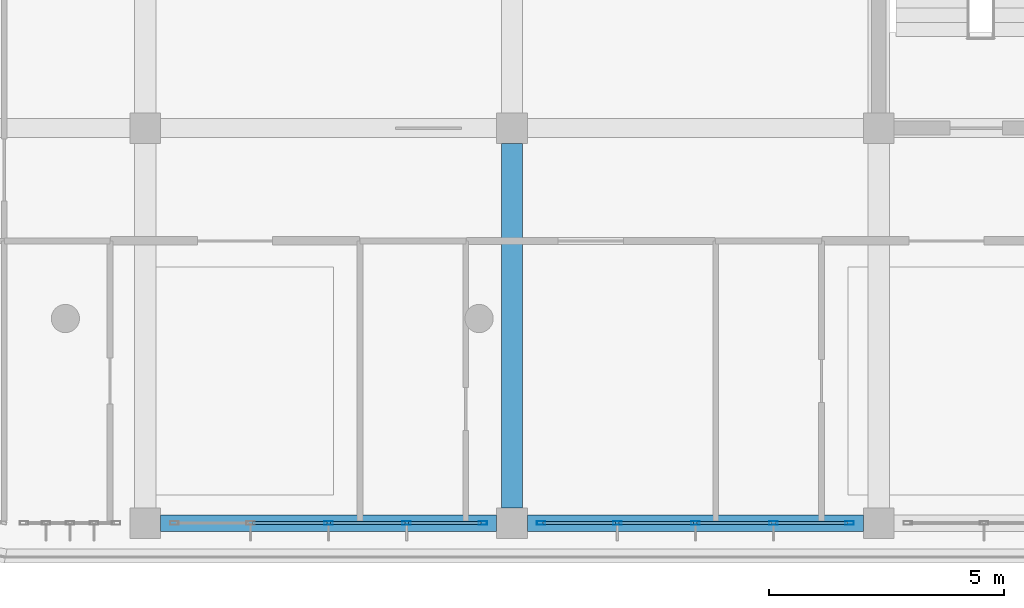
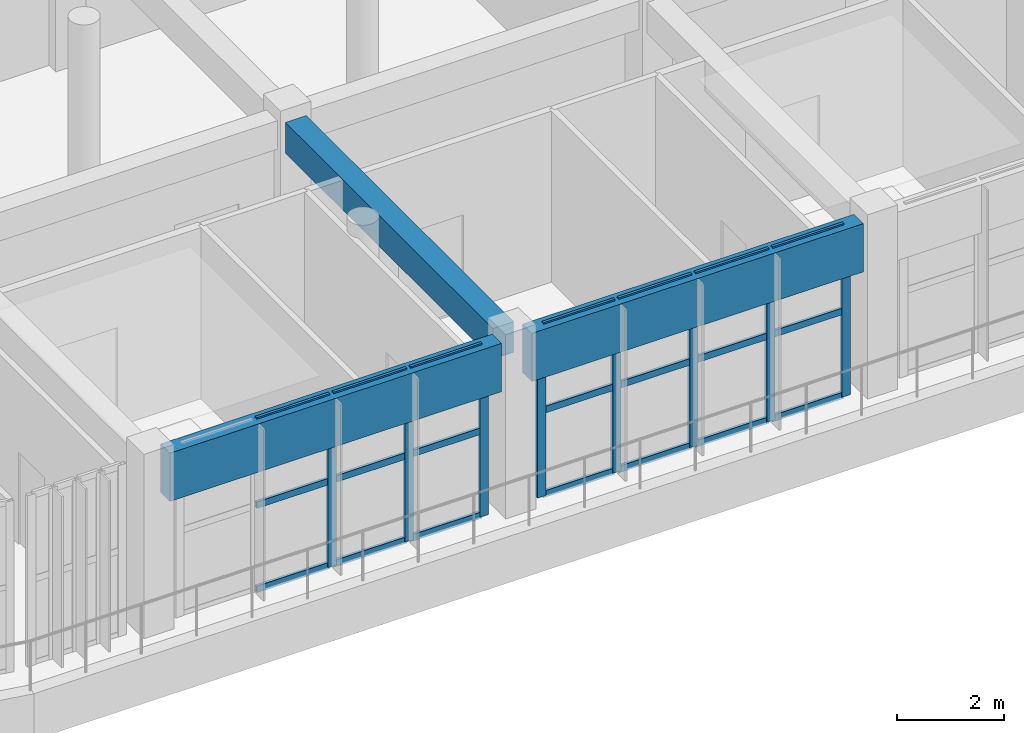
# One storey, part 6 of 63: 29 members, 3 beams, 2 elements without a shape of their own.
"""IFC4 building model written with IfcOpenShell, lengths in metres."""

from ifc_helpers import new_model, si_unit, direction, frame, origin, origin_2d, place, context, subcontext, project, spatial, rectangle, hollow_rectangle, extrude, material, layer, layer_set, material_profile, profile_set, type_object, element, aggregate, save


model = new_model("IFC4")

# Units and contexts
model_context = context("Model", 3, precision=1e-05, world=origin(), true_north=direction((0.0, 1.0)))
body_context = subcontext(model_context, "Body", "Model", "MODEL_VIEW")
ifc_project = project(units=[si_unit("LENGTHUNIT", "METRE"), si_unit("AREAUNIT", "SQUARE_METRE"), si_unit("VOLUMEUNIT", "CUBIC_METRE"), si_unit("PLANEANGLEUNIT", "RADIAN"), si_unit("MASSUNIT", "GRAM", prefix="KILO")], contexts=[model_context])

# Site, building, storey
site_placement = place(None, origin())
site = spatial("IfcSite", under=ifc_project, at=site_placement, CompositionType="ELEMENT")
building_placement = place(site_placement, origin())
building = spatial("IfcBuilding", under=site, at=building_placement, Name="Zizhar Promenade General Hospital", CompositionType="ELEMENT")
storey_placement = place(building_placement, frame((0.0, 0.0, 18.0)))
storey = spatial("IfcBuildingStorey", under=building, at=storey_placement, Name="L04", CompositionType="ELEMENT", Elevation=18.0)

# Beams
ifc_material_1 = material(Name="Precast concrete C40/50", Category="concrete")
ifc_material_profile_1 = material_profile(ifc_material_1, rectangle(XDim=0.35009765625, YDim=1.10009765625, at=origin_2d()))
ifc_profile_set_1 = profile_set([ifc_material_profile_1], Name="Precast concrete C40/50")
beam_type_1 = type_object("IfcBeamType", Name="BM-PC-BAND1100", PredefinedType="SPANDREL", material=ifc_profile_set_1)
for number, where, z_axis, x_axis, name in (
    (1, (31.52490234375, 0.0, 3.360107421875), (1.0, 0.0, 0.0), (0.0, 1.0, 0.0), "Grid Beam X L04 (4-0)"),
    (2, (39.324951171875, 0.0, 3.360107421875), (1.0, 0.0, 0.0), (0.0, 1.0, 0.0), "Grid Beam X L04 (5-0)"),
):
    element("IfcBeam", number, at=place(storey_placement, frame(where, z_axis=z_axis, x_axis=x_axis)), inside=storey, type_object=beam_type_1, Name=name, PredefinedType="SPANDREL", context=body_context, shape_type="SweptSolid", body=[
        extrude(rectangle(XDim=0.35009765625, YDim=1.10009765625, at=origin_2d()), origin(), (0.0, 0.0, 1.0), 7.150146484375),
    ])
ifc_material_2 = material(Name="Concrete C35/45", Category="concrete")
ifc_material_profile_2 = material_profile(ifc_material_2, rectangle(XDim=0.449951171875, YDim=0.699951171875, at=origin_2d()))
ifc_profile_set_2 = profile_set([ifc_material_profile_2], Name="Concrete C35/45")
beam_type_2 = type_object("IfcBeamType", Name="BM-RC-450x700", PredefinedType="BEAM", material=ifc_profile_set_2)
beam_placement = place(storey_placement, frame((39.0, 0.324951171875, 3.56005859375), z_axis=(0.0, 1.0, 0.0), x_axis=(-1.0, 0.0, 0.0)))
element("IfcBeam", 3, at=beam_placement, inside=storey, type_object=beam_type_2, Name="Grid Beam Y L04 (5-0)", PredefinedType="BEAM", context=body_context, shape_type="SweptSolid", body=[
    extrude(rectangle(XDim=0.449951171875, YDim=0.699951171875, at=origin_2d()), origin(), (0.0, 0.0, 1.0), 7.75),
])

# Curtain wall, members
ifc_material_3 = material(Name="Anodised aluminium 6063-T6 and low-E glass", Category="aluminium")
ifc_layer = layer(ifc_material_3, 0.159912109375)
ifc_layer_set = layer_set([ifc_layer], Name="Anodised aluminium 6063-T6 and low-E glass")
curtain_wall_type = type_object("IfcCurtainWallType", Name="CW-WARD-RIB", PredefinedType="NOTDEFINED", material=ifc_layer_set)
curtain_wall_1_placement = place(storey_placement, origin())
curtain_wall_1 = element("IfcCurtainWall", 4, at=curtain_wall_1_placement, inside=storey, type_object=curtain_wall_type, Name="Ward Ribbon Curtain Wall L04-17-9", PredefinedType="NOTDEFINED")
ifc_material_4 = material(Name="Anodised aluminium 6063-T6", Category="aluminium")
ifc_material_profile_3 = material_profile(ifc_material_4, hollow_rectangle(XDim=0.080078125, YDim=0.179931640625, WallThickness=0.0048828125, at=origin_2d()))
ifc_profile_set_3 = profile_set([ifc_material_profile_3], Name="Anodised aluminium 6063-T6")
member_type_1 = type_object("IfcMemberType", Name="CWM-ALU-180x80", PredefinedType="MULLION", material=ifc_profile_set_3)
member_1_placement = place(storey_placement, frame((46.179931640625, 0.0, 0.0), z_axis=(0.0, 0.0, 1.0), x_axis=(0.0, -1.0, 0.0)))
member_1 = element("IfcMember", 5, at=member_1_placement, type_object=member_type_1, Name="CW-13 mullion 1", PredefinedType="MULLION", context=body_context, shape_type="SweptSolid", body=[
    extrude(hollow_rectangle(XDim=0.080078125, YDim=0.179931640625, WallThickness=0.0048828125, at=origin_2d()), origin(), (0.0, 0.0, 1.0), 3.89990234375),
])
member_2_placement = place(storey_placement, frame((44.56005859375, 0.0, 0.0), z_axis=(0.0, 0.0, 1.0), x_axis=(0.0, -1.0, 0.0)))
member_2 = element("IfcMember", 6, at=member_2_placement, type_object=member_type_1, Name="CW-13 mullion 2", PredefinedType="MULLION", context=body_context, shape_type="SweptSolid", body=[
    extrude(hollow_rectangle(XDim=0.080078125, YDim=0.179931640625, WallThickness=0.0048828125, at=origin_2d()), origin(), (0.0, 0.0, 1.0), 3.89990234375),
])
member_3_placement = place(storey_placement, frame((42.89990234375, 0.0, 0.0), z_axis=(0.0, 0.0, 1.0), x_axis=(0.0, -1.0, 0.0)))
member_3 = element("IfcMember", 7, at=member_3_placement, type_object=member_type_1, Name="CW-13 mullion 3", PredefinedType="MULLION", context=body_context, shape_type="SweptSolid", body=[
    extrude(hollow_rectangle(XDim=0.080078125, YDim=0.179931640625, WallThickness=0.0048828125, at=origin_2d()), origin(), (0.0, 0.0, 1.0), 3.89990234375),
])
member_4_placement = place(storey_placement, frame((41.239990234375, 0.0, 0.0), z_axis=(0.0, 0.0, 1.0), x_axis=(0.0, -1.0, 0.0)))
member_4 = element("IfcMember", 8, at=member_4_placement, type_object=member_type_1, Name="CW-13 mullion 4", PredefinedType="MULLION", context=body_context, shape_type="SweptSolid", body=[
    extrude(hollow_rectangle(XDim=0.080078125, YDim=0.179931640625, WallThickness=0.0048828125, at=origin_2d()), origin(), (0.0, 0.0, 1.0), 3.89990234375),
])
member_5_placement = place(storey_placement, frame((39.6201171875, 0.0, 0.0), z_axis=(0.0, 0.0, 1.0), x_axis=(0.0, -1.0, 0.0)))
member_5 = element("IfcMember", 9, at=member_5_placement, type_object=member_type_1, Name="CW-13 mullion 5", PredefinedType="MULLION", context=body_context, shape_type="SweptSolid", body=[
    extrude(hollow_rectangle(XDim=0.080078125, YDim=0.179931640625, WallThickness=0.0048828125, at=origin_2d()), origin(), (0.0, 0.0, 1.0), 3.89990234375),
])

curtain_wall_2_placement = place(storey_placement, origin())
curtain_wall_2 = element("IfcCurtainWall", 10, at=curtain_wall_2_placement, inside=storey, type_object=curtain_wall_type, Name="Ward Ribbon Curtain Wall L04-17-10", PredefinedType="NOTDEFINED")
member_6_placement = place(storey_placement, frame((38.3798828125, 0.0, 0.0), z_axis=(0.0, 0.0, 1.0), x_axis=(0.0, -1.0, 0.0)))
member_6 = element("IfcMember", 11, at=member_6_placement, type_object=member_type_1, Name="CW-13 mullion 1", PredefinedType="MULLION", context=body_context, shape_type="SweptSolid", body=[
    extrude(hollow_rectangle(XDim=0.080078125, YDim=0.179931640625, WallThickness=0.0048828125, at=origin_2d()), origin(), (0.0, 0.0, 1.0), 3.89990234375),
])
member_7_placement = place(storey_placement, frame((36.760009765625, 0.0, 0.0), z_axis=(0.0, 0.0, 1.0), x_axis=(0.0, -1.0, 0.0)))
member_7 = element("IfcMember", 12, at=member_7_placement, type_object=member_type_1, Name="CW-13 mullion 2", PredefinedType="MULLION", context=body_context, shape_type="SweptSolid", body=[
    extrude(hollow_rectangle(XDim=0.080078125, YDim=0.179931640625, WallThickness=0.0048828125, at=origin_2d()), origin(), (0.0, 0.0, 1.0), 3.89990234375),
])
member_8_placement = place(storey_placement, frame((35.10009765625, 0.0, 0.0), z_axis=(0.0, 0.0, 1.0), x_axis=(0.0, -1.0, 0.0)))
member_8 = element("IfcMember", 13, at=member_8_placement, type_object=member_type_1, Name="CW-13 mullion 3", PredefinedType="MULLION", context=body_context, shape_type="SweptSolid", body=[
    extrude(hollow_rectangle(XDim=0.080078125, YDim=0.179931640625, WallThickness=0.0048828125, at=origin_2d()), origin(), (0.0, 0.0, 1.0), 3.89990234375),
])

# Member
ifc_material_5 = material(Name="Anodised aluminium 6063-T6", Category="aluminium")
ifc_material_profile_4 = material_profile(ifc_material_5, hollow_rectangle(XDim=0.06005859375, YDim=0.14990234375, WallThickness=0.00390625, at=origin_2d()))
ifc_profile_set_4 = profile_set([ifc_material_profile_4], Name="Anodised aluminium 6063-T6")
member_type_2 = type_object("IfcMemberType", Name="CWT-ALU-150x60", PredefinedType="USERDEFINED", material=ifc_profile_set_4)
member_9_placement = place(storey_placement, frame((46.139892578125, 0.0, 0.030029296875), z_axis=(-1.0, 0.0, 0.0), x_axis=(0.0, -1.0, 0.0)))
member_9 = element("IfcMember", 14, at=member_9_placement, type_object=member_type_2, Name="CW-13 transom 1.1", ObjectType="TRANSOM", PredefinedType="USERDEFINED", context=body_context, shape_type="SweptSolid", body=[
    extrude(hollow_rectangle(XDim=0.06005859375, YDim=0.14990234375, WallThickness=0.00390625, at=origin_2d()), origin(), (0.0, 0.0, 1.0), 1.539794921875),
])

member_10_placement = place(storey_placement, frame((46.139892578125, 0.0, 1.949951171875), z_axis=(-1.0, 0.0, 0.0), x_axis=(0.0, -1.0, 0.0)))
member_10 = element("IfcMember", 15, at=member_10_placement, type_object=member_type_2, Name="CW-13 transom 1.2", ObjectType="TRANSOM", PredefinedType="USERDEFINED", context=body_context, shape_type="SweptSolid", body=[
    extrude(hollow_rectangle(XDim=0.06005859375, YDim=0.14990234375, WallThickness=0.00390625, at=origin_2d()), origin(), (0.0, 0.0, 1.0), 1.539794921875),
])

member_11_placement = place(storey_placement, frame((46.139892578125, 0.0, 3.8701171875), z_axis=(-1.0, 0.0, 0.0), x_axis=(0.0, -1.0, 0.0)))
member_11 = element("IfcMember", 16, at=member_11_placement, type_object=member_type_2, Name="CW-13 transom 1.3", ObjectType="TRANSOM", PredefinedType="USERDEFINED", context=body_context, shape_type="SweptSolid", body=[
    extrude(hollow_rectangle(XDim=0.06005859375, YDim=0.14990234375, WallThickness=0.00390625, at=origin_2d()), origin(), (0.0, 0.0, 1.0), 1.539794921875),
])

member_12_placement = place(storey_placement, frame((44.52001953125, 0.0, 0.030029296875), z_axis=(-1.0, 0.0, 0.0), x_axis=(0.0, -1.0, 0.0)))
member_12 = element("IfcMember", 17, at=member_12_placement, type_object=member_type_2, Name="CW-13 transom 2.1", ObjectType="TRANSOM", PredefinedType="USERDEFINED", context=body_context, shape_type="SweptSolid", body=[
    extrude(hollow_rectangle(XDim=0.06005859375, YDim=0.14990234375, WallThickness=0.00390625, at=origin_2d()), origin(), (0.0, 0.0, 1.0), 1.580078125),
])

member_13_placement = place(storey_placement, frame((44.52001953125, 0.0, 1.949951171875), z_axis=(-1.0, 0.0, 0.0), x_axis=(0.0, -1.0, 0.0)))
member_13 = element("IfcMember", 18, at=member_13_placement, type_object=member_type_2, Name="CW-13 transom 2.2", ObjectType="TRANSOM", PredefinedType="USERDEFINED", context=body_context, shape_type="SweptSolid", body=[
    extrude(hollow_rectangle(XDim=0.06005859375, YDim=0.14990234375, WallThickness=0.00390625, at=origin_2d()), origin(), (0.0, 0.0, 1.0), 1.580078125),
])

member_14_placement = place(storey_placement, frame((44.52001953125, 0.0, 3.8701171875), z_axis=(-1.0, 0.0, 0.0), x_axis=(0.0, -1.0, 0.0)))
member_14 = element("IfcMember", 19, at=member_14_placement, type_object=member_type_2, Name="CW-13 transom 2.3", ObjectType="TRANSOM", PredefinedType="USERDEFINED", context=body_context, shape_type="SweptSolid", body=[
    extrude(hollow_rectangle(XDim=0.06005859375, YDim=0.14990234375, WallThickness=0.00390625, at=origin_2d()), origin(), (0.0, 0.0, 1.0), 1.580078125),
])

member_15_placement = place(storey_placement, frame((42.860107421875, 0.0, 0.030029296875), z_axis=(-1.0, 0.0, 0.0), x_axis=(0.0, -1.0, 0.0)))
member_15 = element("IfcMember", 20, at=member_15_placement, type_object=member_type_2, Name="CW-13 transom 3.1", ObjectType="TRANSOM", PredefinedType="USERDEFINED", context=body_context, shape_type="SweptSolid", body=[
    extrude(hollow_rectangle(XDim=0.06005859375, YDim=0.14990234375, WallThickness=0.00390625, at=origin_2d()), origin(), (0.0, 0.0, 1.0), 1.580078125),
])

member_16_placement = place(storey_placement, frame((42.860107421875, 0.0, 1.949951171875), z_axis=(-1.0, 0.0, 0.0), x_axis=(0.0, -1.0, 0.0)))
member_16 = element("IfcMember", 21, at=member_16_placement, type_object=member_type_2, Name="CW-13 transom 3.2", ObjectType="TRANSOM", PredefinedType="USERDEFINED", context=body_context, shape_type="SweptSolid", body=[
    extrude(hollow_rectangle(XDim=0.06005859375, YDim=0.14990234375, WallThickness=0.00390625, at=origin_2d()), origin(), (0.0, 0.0, 1.0), 1.580078125),
])

member_17_placement = place(storey_placement, frame((42.860107421875, 0.0, 3.8701171875), z_axis=(-1.0, 0.0, 0.0), x_axis=(0.0, -1.0, 0.0)))
member_17 = element("IfcMember", 22, at=member_17_placement, type_object=member_type_2, Name="CW-13 transom 3.3", ObjectType="TRANSOM", PredefinedType="USERDEFINED", context=body_context, shape_type="SweptSolid", body=[
    extrude(hollow_rectangle(XDim=0.06005859375, YDim=0.14990234375, WallThickness=0.00390625, at=origin_2d()), origin(), (0.0, 0.0, 1.0), 1.580078125),
])

member_18_placement = place(storey_placement, frame((41.199951171875, 0.0, 0.030029296875), z_axis=(-1.0, 0.0, 0.0), x_axis=(0.0, -1.0, 0.0)))
member_18 = element("IfcMember", 23, at=member_18_placement, type_object=member_type_2, Name="CW-13 transom 4.1", ObjectType="TRANSOM", PredefinedType="USERDEFINED", context=body_context, shape_type="SweptSolid", body=[
    extrude(hollow_rectangle(XDim=0.06005859375, YDim=0.14990234375, WallThickness=0.00390625, at=origin_2d()), origin(), (0.0, 0.0, 1.0), 1.5400390625),
])

member_19_placement = place(storey_placement, frame((41.199951171875, 0.0, 1.949951171875), z_axis=(-1.0, 0.0, 0.0), x_axis=(0.0, -1.0, 0.0)))
member_19 = element("IfcMember", 24, at=member_19_placement, type_object=member_type_2, Name="CW-13 transom 4.2", ObjectType="TRANSOM", PredefinedType="USERDEFINED", context=body_context, shape_type="SweptSolid", body=[
    extrude(hollow_rectangle(XDim=0.06005859375, YDim=0.14990234375, WallThickness=0.00390625, at=origin_2d()), origin(), (0.0, 0.0, 1.0), 1.5400390625),
])

member_20_placement = place(storey_placement, frame((41.199951171875, 0.0, 3.8701171875), z_axis=(-1.0, 0.0, 0.0), x_axis=(0.0, -1.0, 0.0)))
member_20 = element("IfcMember", 25, at=member_20_placement, type_object=member_type_2, Name="CW-13 transom 4.3", ObjectType="TRANSOM", PredefinedType="USERDEFINED", context=body_context, shape_type="SweptSolid", body=[
    extrude(hollow_rectangle(XDim=0.06005859375, YDim=0.14990234375, WallThickness=0.00390625, at=origin_2d()), origin(), (0.0, 0.0, 1.0), 1.5400390625),
])

aggregate(curtain_wall_1, [member_1, member_2, member_3, member_4, member_5, member_9, member_10, member_11, member_12, member_13, member_14, member_15, member_16, member_17, member_18, member_19, member_20])

member_21_placement = place(storey_placement, frame((38.340087890625, 0.0, 0.030029296875), z_axis=(-1.0, 0.0, 0.0), x_axis=(0.0, -1.0, 0.0)))
member_21 = element("IfcMember", 26, at=member_21_placement, type_object=member_type_2, Name="CW-13 transom 1.1", ObjectType="TRANSOM", PredefinedType="USERDEFINED", context=body_context, shape_type="SweptSolid", body=[
    extrude(hollow_rectangle(XDim=0.06005859375, YDim=0.14990234375, WallThickness=0.00390625, at=origin_2d()), origin(), (0.0, 0.0, 1.0), 1.5400390625),
])

member_22_placement = place(storey_placement, frame((38.340087890625, 0.0, 1.949951171875), z_axis=(-1.0, 0.0, 0.0), x_axis=(0.0, -1.0, 0.0)))
member_22 = element("IfcMember", 27, at=member_22_placement, type_object=member_type_2, Name="CW-13 transom 1.2", ObjectType="TRANSOM", PredefinedType="USERDEFINED", context=body_context, shape_type="SweptSolid", body=[
    extrude(hollow_rectangle(XDim=0.06005859375, YDim=0.14990234375, WallThickness=0.00390625, at=origin_2d()), origin(), (0.0, 0.0, 1.0), 1.5400390625),
])

member_23_placement = place(storey_placement, frame((38.340087890625, 0.0, 3.8701171875), z_axis=(-1.0, 0.0, 0.0), x_axis=(0.0, -1.0, 0.0)))
member_23 = element("IfcMember", 28, at=member_23_placement, type_object=member_type_2, Name="CW-13 transom 1.3", ObjectType="TRANSOM", PredefinedType="USERDEFINED", context=body_context, shape_type="SweptSolid", body=[
    extrude(hollow_rectangle(XDim=0.06005859375, YDim=0.14990234375, WallThickness=0.00390625, at=origin_2d()), origin(), (0.0, 0.0, 1.0), 1.5400390625),
])

member_24_placement = place(storey_placement, frame((36.719970703125, 0.0, 0.030029296875), z_axis=(-1.0, 0.0, 0.0), x_axis=(0.0, -1.0, 0.0)))
member_24 = element("IfcMember", 29, at=member_24_placement, type_object=member_type_2, Name="CW-13 transom 2.1", ObjectType="TRANSOM", PredefinedType="USERDEFINED", context=body_context, shape_type="SweptSolid", body=[
    extrude(hollow_rectangle(XDim=0.06005859375, YDim=0.14990234375, WallThickness=0.00390625, at=origin_2d()), origin(), (0.0, 0.0, 1.0), 1.580078125),
])

member_25_placement = place(storey_placement, frame((36.719970703125, 0.0, 1.949951171875), z_axis=(-1.0, 0.0, 0.0), x_axis=(0.0, -1.0, 0.0)))
member_25 = element("IfcMember", 30, at=member_25_placement, type_object=member_type_2, Name="CW-13 transom 2.2", ObjectType="TRANSOM", PredefinedType="USERDEFINED", context=body_context, shape_type="SweptSolid", body=[
    extrude(hollow_rectangle(XDim=0.06005859375, YDim=0.14990234375, WallThickness=0.00390625, at=origin_2d()), origin(), (0.0, 0.0, 1.0), 1.580078125),
])

member_26_placement = place(storey_placement, frame((36.719970703125, 0.0, 3.8701171875), z_axis=(-1.0, 0.0, 0.0), x_axis=(0.0, -1.0, 0.0)))
member_26 = element("IfcMember", 31, at=member_26_placement, type_object=member_type_2, Name="CW-13 transom 2.3", ObjectType="TRANSOM", PredefinedType="USERDEFINED", context=body_context, shape_type="SweptSolid", body=[
    extrude(hollow_rectangle(XDim=0.06005859375, YDim=0.14990234375, WallThickness=0.00390625, at=origin_2d()), origin(), (0.0, 0.0, 1.0), 1.580078125),
])

member_27_placement = place(storey_placement, frame((35.06005859375, 0.0, 0.030029296875), z_axis=(-1.0, 0.0, 0.0), x_axis=(0.0, -1.0, 0.0)))
member_27 = element("IfcMember", 32, at=member_27_placement, type_object=member_type_2, Name="CW-13 transom 3.1", ObjectType="TRANSOM", PredefinedType="USERDEFINED", context=body_context, shape_type="SweptSolid", body=[
    extrude(hollow_rectangle(XDim=0.06005859375, YDim=0.14990234375, WallThickness=0.00390625, at=origin_2d()), origin(), (0.0, 0.0, 1.0), 1.580078125),
])

member_28_placement = place(storey_placement, frame((35.06005859375, 0.0, 1.949951171875), z_axis=(-1.0, 0.0, 0.0), x_axis=(0.0, -1.0, 0.0)))
member_28 = element("IfcMember", 33, at=member_28_placement, type_object=member_type_2, Name="CW-13 transom 3.2", ObjectType="TRANSOM", PredefinedType="USERDEFINED", context=body_context, shape_type="SweptSolid", body=[
    extrude(hollow_rectangle(XDim=0.06005859375, YDim=0.14990234375, WallThickness=0.00390625, at=origin_2d()), origin(), (0.0, 0.0, 1.0), 1.580078125),
])

member_29_placement = place(storey_placement, frame((35.06005859375, 0.0, 3.8701171875), z_axis=(-1.0, 0.0, 0.0), x_axis=(0.0, -1.0, 0.0)))
member_29 = element("IfcMember", 34, at=member_29_placement, type_object=member_type_2, Name="CW-13 transom 3.3", ObjectType="TRANSOM", PredefinedType="USERDEFINED", context=body_context, shape_type="SweptSolid", body=[
    extrude(hollow_rectangle(XDim=0.06005859375, YDim=0.14990234375, WallThickness=0.00390625, at=origin_2d()), origin(), (0.0, 0.0, 1.0), 1.580078125),
])

aggregate(curtain_wall_2, [member_6, member_7, member_8, member_21, member_22, member_23, member_24, member_25, member_26, member_27, member_28, member_29])

save(model, "model.ifc")
